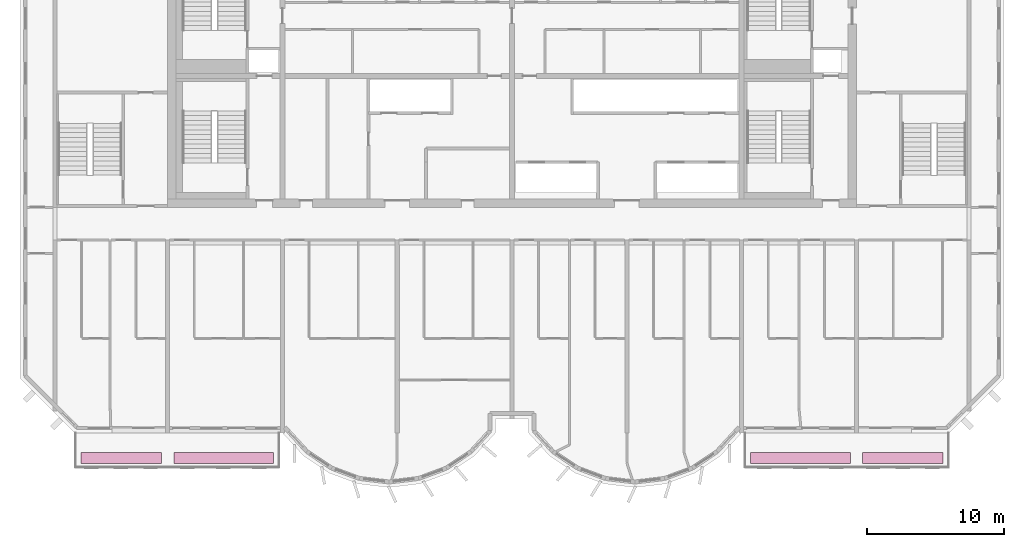
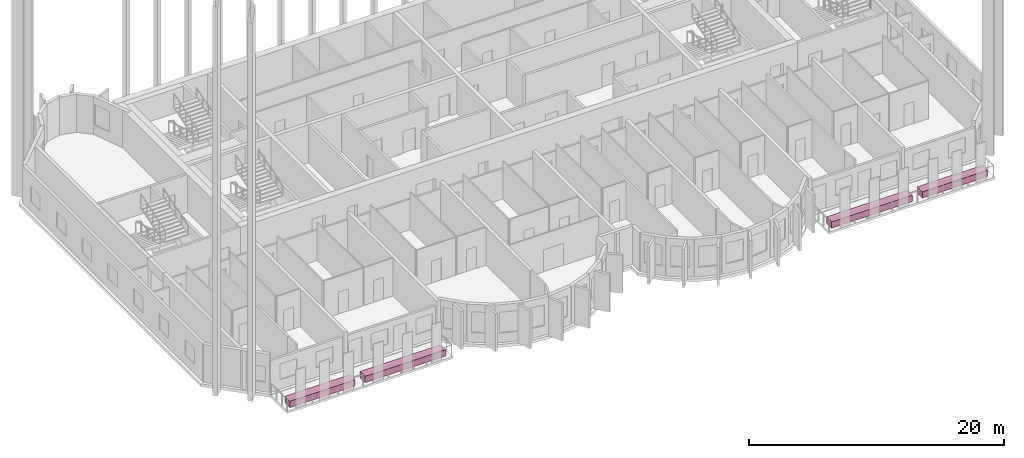
# One storey, part 13 of 13: 4 furniture elements.
"""IFC4 building model written with IfcOpenShell, lengths in metres."""

from ifc_helpers import new_model, si_unit, direction, frame, origin, origin_2d, place, context, subcontext, project, spatial, rectangle, extrude, source, transform, mapped, material, type_object, element, save


model = new_model("IFC4")

# Units and contexts
model_context = context("Model", 3, precision=1e-05, world=origin(), true_north=direction((0.0, 1.0)))
body_context = subcontext(model_context, "Body", "Model", "MODEL_VIEW")
ifc_project = project(units=[si_unit("LENGTHUNIT", "METRE"), si_unit("AREAUNIT", "SQUARE_METRE"), si_unit("VOLUMEUNIT", "CUBIC_METRE"), si_unit("PLANEANGLEUNIT", "RADIAN"), si_unit("MASSUNIT", "GRAM", prefix="KILO")], contexts=[model_context])

# Site, building, storey
site_placement = place(None, origin())
site = spatial("IfcSite", under=ifc_project, at=site_placement, CompositionType="ELEMENT")
building_placement = place(site_placement, origin())
building = spatial("IfcBuilding", under=site, at=building_placement, Name="Vanashikhar Sky Hotel", CompositionType="ELEMENT")
storey_placement = place(building_placement, frame((0.0, 0.0, 214.0)))
storey = spatial("IfcBuildingStorey", under=building, at=storey_placement, Name="L51", CompositionType="ELEMENT", Elevation=214.0)

# Furniture
ifc_material = material(Name="Planting soil and shrubs")
furniture_type = type_object("IfcFurnitureType", Name="Planter trough", AssemblyPlace="NOTDEFINED", PredefinedType="USERDEFINED", material=ifc_material)
shared_shape_1 = source(origin(), body_context, "Body", "SweptSolid", [
    extrude(rectangle(XDim=7.300048828125, YDim=0.800048828125, at=origin_2d()), origin(), (0.0, 0.0, 1.0), 0.60009765625),
])
for number, where, z_axis, x_axis, name in (
    (1, (29.300048828125, 3.64990234375, -0.050048828125), (0.0, 0.0, 1.0), (1.0, 0.0, 0.0), "PLANTER with climbers"),
    (2, (71.5, 3.64990234375, -0.050048828125), (0.0, 0.0, 1.0), (1.0, 0.0, 0.0), "PLANTER with climbers"),
):
    element("IfcFurniture", number, at=place(storey_placement, frame(where, z_axis=z_axis, x_axis=x_axis)), inside=storey, type_object=furniture_type, Name=name, ObjectType="PLANTER", PredefinedType="USERDEFINED", context=body_context, shape_type="MappedRepresentation", body=[
        mapped(shared_shape_1, transform((0.0, 0.0, 0.0), scale=1.0)),
    ])
shared_shape_2 = source(origin(), body_context, "Body", "SweptSolid", [
    extrude(rectangle(XDim=5.89990234375, YDim=0.800048828125, at=origin_2d()), origin(), (0.0, 0.0, 1.0), 0.60009765625),
])
for number, where, z_axis, x_axis, name in (
    (3, (21.800048828125, 3.64990234375, -0.050048828125), (0.0, 0.0, 1.0), (1.0, 0.0, 0.0), "PLANTER with climbers"),
    (4, (79.0, 3.64990234375, -0.050048828125), (0.0, 0.0, 1.0), (1.0, 0.0, 0.0), "PLANTER with climbers"),
):
    element("IfcFurniture", number, at=place(storey_placement, frame(where, z_axis=z_axis, x_axis=x_axis)), inside=storey, type_object=furniture_type, Name=name, ObjectType="PLANTER", PredefinedType="USERDEFINED", context=body_context, shape_type="MappedRepresentation", body=[
        mapped(shared_shape_2, transform((0.0, 0.0, 0.0), scale=1.0)),
    ])

save(model, "model.ifc")
